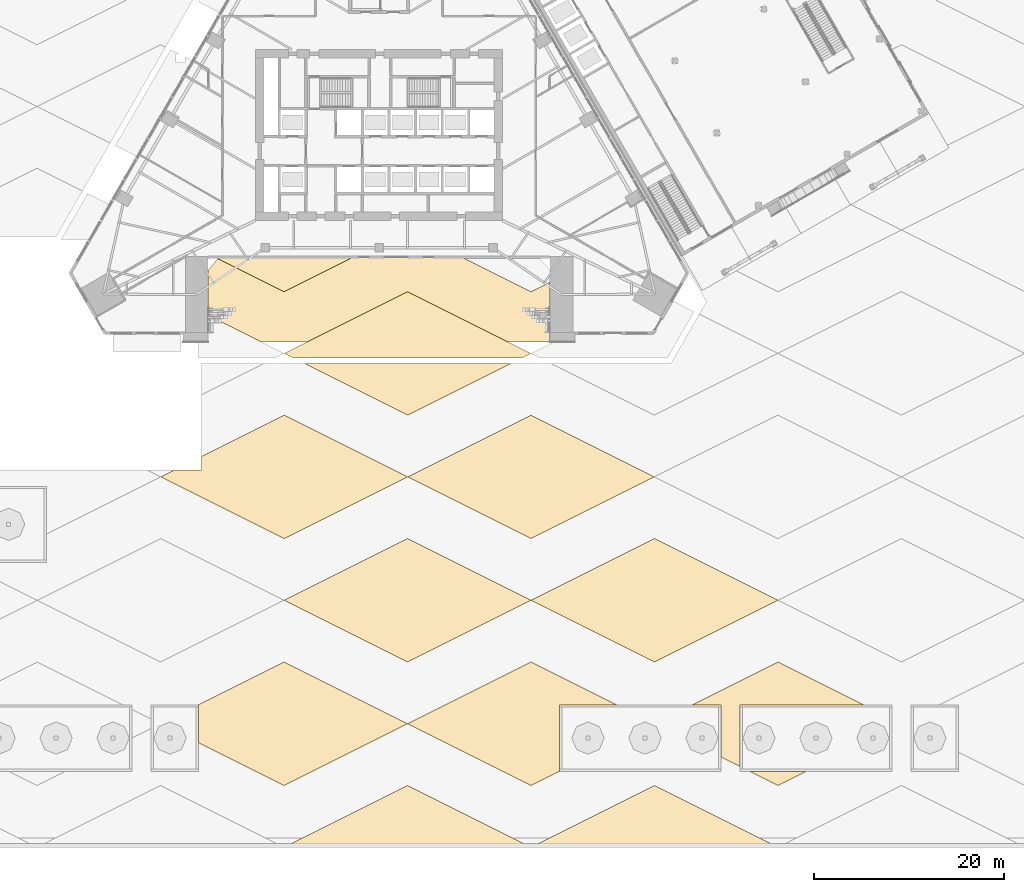
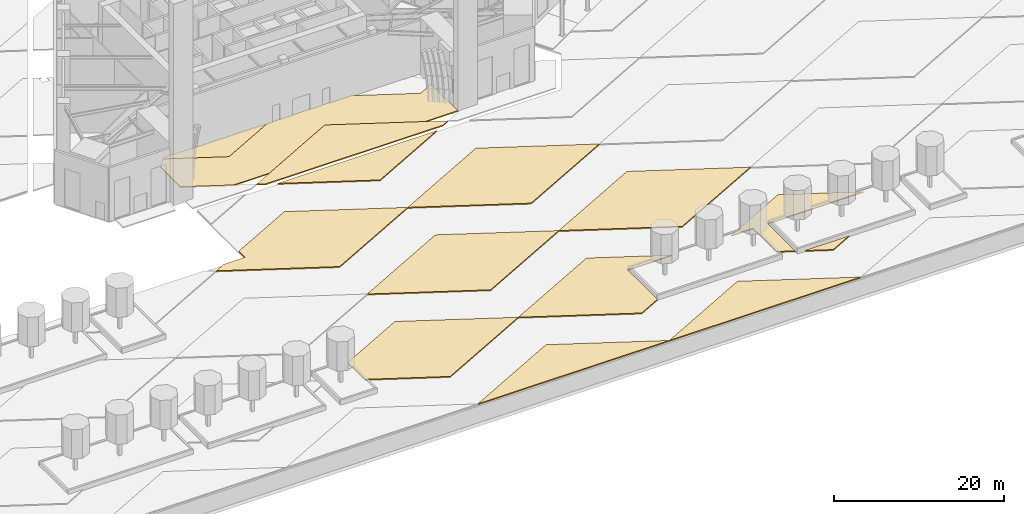
# One storey, part 24 of 34: 14 coverings.
"""IFC4 building model written with IfcOpenShell, lengths in metres."""

from ifc_helpers import new_model, si_unit, direction, frame, origin, place, context, subcontext, project, spatial, polyline, outline, extrude, material, layer, layer_set, type_object, element, save


model = new_model("IFC4")

# Units and contexts
model_context = context("Model", 3, precision=1e-05, world=origin(), true_north=direction((0.0, 1.0)))
body_context = subcontext(model_context, "Body", "Model", "MODEL_VIEW")
ifc_project = project(units=[si_unit("LENGTHUNIT", "METRE"), si_unit("AREAUNIT", "SQUARE_METRE"), si_unit("VOLUMEUNIT", "CUBIC_METRE"), si_unit("PLANEANGLEUNIT", "RADIAN"), si_unit("MASSUNIT", "GRAM", prefix="KILO")], contexts=[model_context])

# Site, building, storey
site_placement = place(None, origin())
site = spatial("IfcSite", under=ifc_project, at=site_placement, CompositionType="ELEMENT")
building_placement = place(site_placement, origin())
building = spatial("IfcBuilding", under=site, at=building_placement, Name="Firuza Gate Tower and Library", CompositionType="ELEMENT")
storey_placement = place(building_placement, origin())
storey = spatial("IfcBuildingStorey", under=building, at=storey_placement, Name="L00", CompositionType="ELEMENT", Elevation=0.0)

# Coverings
ifc_material_1 = material(Name="Ceramic paving, deep blue")
ifc_layer_1 = layer(ifc_material_1, 0.14990234375)
ifc_layer_set_1 = layer_set([ifc_layer_1], Name="Cobalt ceramic paving 150")
covering_type_1 = type_object("IfcCoveringType", Name="Cobalt ceramic paving 150", PredefinedType="FLOORING", material=ifc_layer_set_1)
placement = place(storey_placement, frame((0.0, 0.0, -0.14990234375)))
element("IfcCovering", 1, at=placement, inside=storey, type_object=covering_type_1, Name="Plaza paving", PredefinedType="FLOORING", context=body_context, shape_type="SweptSolid", body=[
    extrude(outline(polyline([(91.0, 6.5), (78.0, 13.0), (91.0, 19.5), (100.0, 15.0), (94.0, 15.0), (94.0, 8.0), (91.0, 6.5)])), origin(), (0.0, 0.0, 1.0), 0.14990234375),
])
element("IfcCovering", 2, at=placement, inside=storey, type_object=covering_type_1, Name="Plaza paving", PredefinedType="FLOORING", context=body_context, shape_type="SweptSolid", body=[
    extrude(outline(polyline([(104.0, 32.5), (117.0, 26.0), (104.0, 19.5), (91.0, 26.0), (104.0, 32.5)])), origin(), (0.0, 0.0, 1.0), 0.14990234375),
])
element("IfcCovering", 3, at=placement, inside=storey, type_object=covering_type_1, Name="Plaza paving", PredefinedType="FLOORING", context=body_context, shape_type="SweptSolid", body=[
    extrude(outline(polyline([(65.0, 45.5), (78.0, 39.0), (65.0, 32.5), (52.0, 39.0), (53.39990234375, 39.699951171875), (56.300048828125, 39.699951171875), (56.300048828125, 41.14990234375), (65.0, 45.5)])), origin(), (0.0, 0.0, 1.0), 0.14990234375),
])
element("IfcCovering", 4, at=placement, inside=storey, type_object=covering_type_1, Name="Plaza paving", PredefinedType="FLOORING", context=body_context, shape_type="SweptSolid", body=[
    extrude(outline(polyline([(65.0, 52.0), (78.0, 58.5), (91.0, 52.0), (90.03076171875, 51.515380859375), (65.96923828125, 51.515380859375), (65.0, 52.0)])), origin(), (0.0, 0.0, 1.0), 0.14990234375),
])
element("IfcCovering", 5, at=placement, inside=storey, type_object=covering_type_1, Name="Plaza paving", PredefinedType="FLOORING", context=body_context, shape_type="SweptSolid", body=[
    extrude(outline(polyline([(78.0, 45.5), (67.169189453125, 50.915283203125), (88.830810546875, 50.915283203125), (78.0, 45.5)])), origin(), (0.0, 0.0, 1.0), 0.14990234375),
])
ifc_material_2 = material(Name="Sandstone paving", Category="masonry")
ifc_layer_2 = layer(ifc_material_2, 0.14990234375)
ifc_layer_set_2 = layer_set([ifc_layer_2], Name="Sandstone paving 150")
covering_type_2 = type_object("IfcCoveringType", Name="Sandstone paving 150", PredefinedType="FLOORING", material=ifc_layer_set_2)
element("IfcCovering", 6, at=placement, inside=storey, type_object=covering_type_2, Name="Plaza paving", PredefinedType="FLOORING", context=body_context, shape_type="SweptSolid", body=[
    extrude(outline(polyline([(78.0, 6.5), (91.0, 0.0), (65.0, 0.0), (78.0, 6.5)])), origin(), (0.0, 0.0, 1.0), 0.14990234375),
])
element("IfcCovering", 7, at=placement, inside=storey, type_object=covering_type_2, Name="Plaza paving", PredefinedType="FLOORING", context=body_context, shape_type="SweptSolid", body=[
    extrude(outline(polyline([(111.0, 9.5), (111.0, 15.0), (108.0, 15.0), (117.0, 19.5), (126.0, 15.0), (113.0, 15.0), (113.0, 8.5), (111.0, 9.5)])), origin(), (0.0, 0.0, 1.0), 0.14990234375),
])
element("IfcCovering", 8, at=placement, inside=storey, type_object=covering_type_2, Name="Plaza paving", PredefinedType="FLOORING", context=body_context, shape_type="SweptSolid", body=[
    extrude(outline(polyline([(117.0, 6.5), (114.0, 8.0), (120.0, 8.0), (117.0, 6.5)])), origin(), (0.0, 0.0, 1.0), 0.14990234375),
])
element("IfcCovering", 9, at=placement, inside=storey, type_object=covering_type_2, Name="Plaza paving", PredefinedType="FLOORING", context=body_context, shape_type="SweptSolid", body=[
    extrude(outline(polyline([(91.0, 45.5), (104.0, 39.0), (91.0, 32.5), (78.0, 39.0), (91.0, 45.5)])), origin(), (0.0, 0.0, 1.0), 0.14990234375),
])
element("IfcCovering", 10, at=placement, inside=storey, type_object=covering_type_2, Name="Plaza paving", PredefinedType="FLOORING", context=body_context, shape_type="SweptSolid", body=[
    extrude(outline(polyline([(65.0, 58.5), (58.03369140625, 61.983154296875), (58.2275390625, 62.21533203125), (72.430908203125, 62.21533203125), (65.0, 58.5)])), origin(), (0.0, 0.0, 1.0), 0.14990234375),
])
element("IfcCovering", 11, at=placement, inside=storey, type_object=covering_type_2, Name="Gate passage route", PredefinedType="FLOORING", context=body_context, shape_type="SweptSolid", body=[
    extrude(outline(polyline([(88.569091796875, 53.21533203125), (78.0, 58.5), (67.430908203125, 53.21533203125), (62.569091796875, 53.21533203125), (57.0, 56.0), (57.0, 60.744873046875), (58.03369140625, 61.983154296875), (65.0, 58.5), (72.430908203125, 62.21533203125), (83.569091796875, 62.21533203125), (91.0, 58.5), (93.0, 59.5), (93.0, 53.21533203125), (88.569091796875, 53.21533203125)])), origin(), (0.0, 0.0, 1.0), 0.14990234375),
])
ifc_material_3 = material(Name="Ceramic paving, turquoise")
ifc_layer_3 = layer(ifc_material_3, 0.14990234375)
ifc_layer_set_3 = layer_set([ifc_layer_3], Name="Turquoise ceramic paving 150")
covering_type_3 = type_object("IfcCoveringType", Name="Turquoise ceramic paving 150", PredefinedType="FLOORING", material=ifc_layer_set_3)
element("IfcCovering", 12, at=placement, inside=storey, type_object=covering_type_3, Name="Plaza paving", PredefinedType="FLOORING", context=body_context, shape_type="SweptSolid", body=[
    extrude(outline(polyline([(104.0, 6.5), (117.0, 0.0), (91.0, 0.0), (104.0, 6.5)])), origin(), (0.0, 0.0, 1.0), 0.14990234375),
])
element("IfcCovering", 13, at=placement, inside=storey, type_object=covering_type_3, Name="Plaza paving", PredefinedType="FLOORING", context=body_context, shape_type="SweptSolid", body=[
    extrude(outline(polyline([(65.0, 19.5), (78.0, 13.0), (65.0, 6.5), (56.0, 11.0), (56.0, 15.0), (65.0, 19.5)])), origin(), (0.0, 0.0, 1.0), 0.14990234375),
])
element("IfcCovering", 14, at=placement, inside=storey, type_object=covering_type_3, Name="Plaza paving", PredefinedType="FLOORING", context=body_context, shape_type="SweptSolid", body=[
    extrude(outline(polyline([(78.0, 32.5), (91.0, 26.0), (78.0, 19.5), (65.0, 26.0), (78.0, 32.5)])), origin(), (0.0, 0.0, 1.0), 0.14990234375),
])

save(model, "model.ifc")
